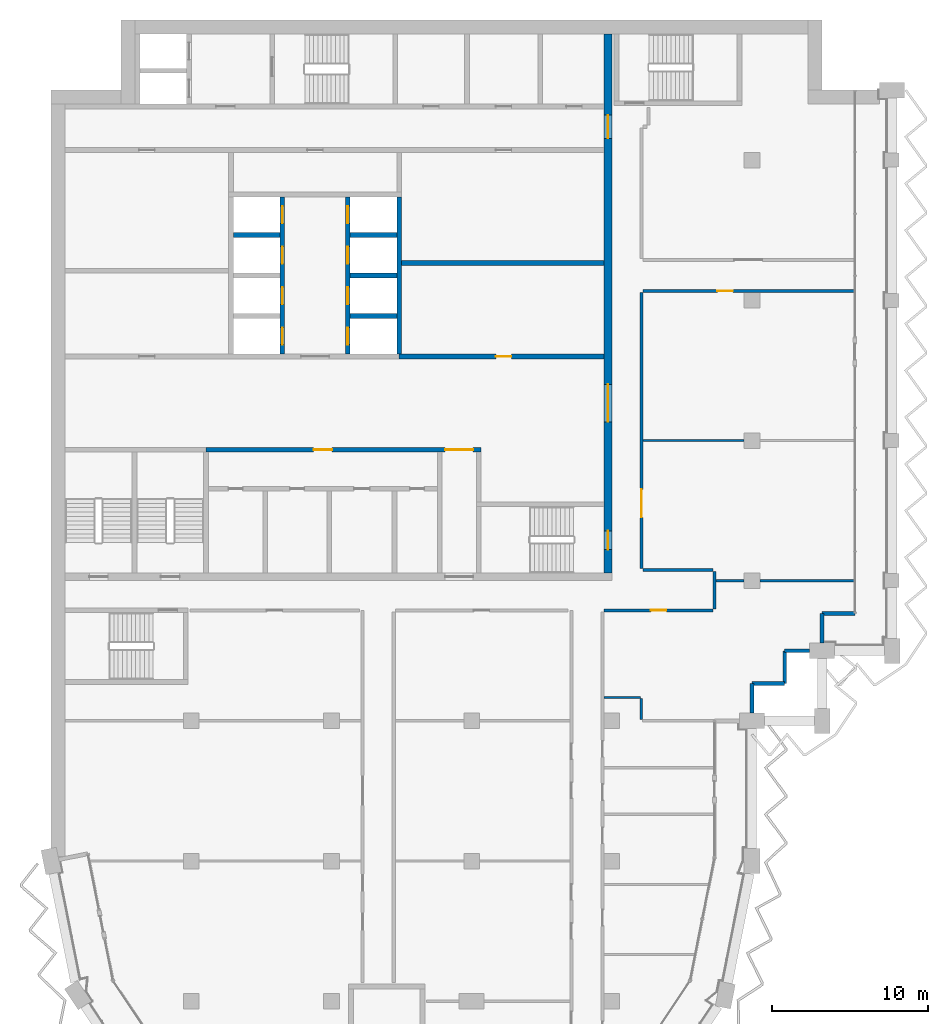
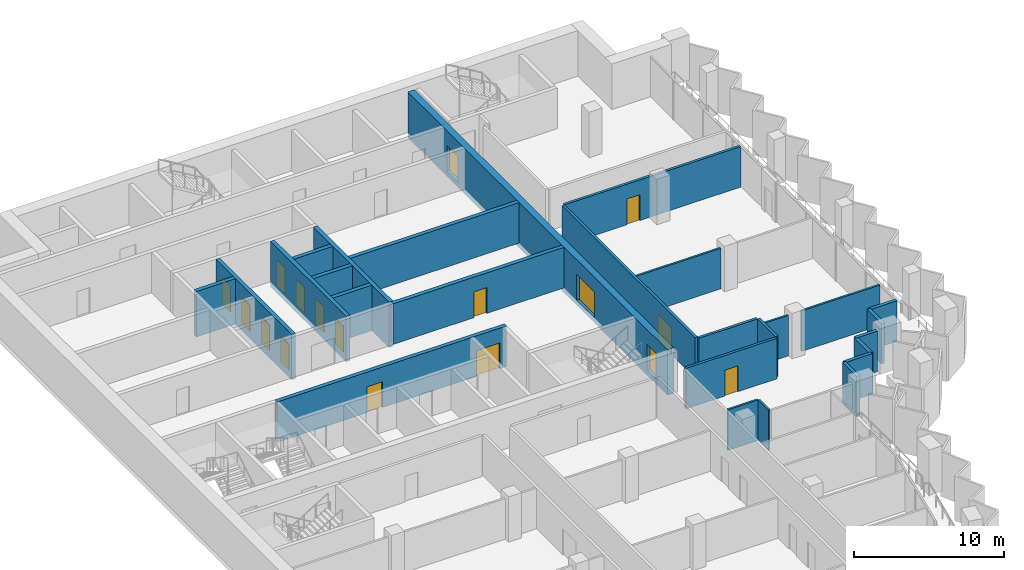
# One storey, part 9 of 16: 27 walls, 17 doors, 17 openings.
"""IFC4 building model written with IfcOpenShell, lengths in metres."""

from ifc_helpers import new_model, si_unit, direction, frame, frame_2d, origin, place, context, subcontext, project, spatial, rectangle, extrude, material, layer, layer_set, type_object, element, fill, save


model = new_model("IFC4")

# Units and contexts
model_context = context("Model", 3, precision=1e-05, world=origin(), true_north=direction((0.0, 1.0)))
body_context = subcontext(model_context, "Body", "Model", "MODEL_VIEW")
ifc_project = project(units=[si_unit("LENGTHUNIT", "METRE"), si_unit("AREAUNIT", "SQUARE_METRE"), si_unit("VOLUMEUNIT", "CUBIC_METRE"), si_unit("PLANEANGLEUNIT", "RADIAN"), si_unit("MASSUNIT", "GRAM", prefix="KILO")], contexts=[model_context])

# Site, building, storey
site_placement = place(None, origin())
site = spatial("IfcSite", under=ifc_project, at=site_placement, CompositionType="ELEMENT")
building_placement = place(site_placement, origin())
building = spatial("IfcBuilding", under=site, at=building_placement, Name="Hunhe Ridgeline Campus", CompositionType="ELEMENT")
storey_placement = place(building_placement, frame((0.0, 0.0, 254.0)))
storey = spatial("IfcBuildingStorey", under=building, at=storey_placement, Name="L65", CompositionType="ELEMENT", Elevation=254.0)

# Wall, openings, doors
ifc_material_1 = material(Name="Masonry concrete blockwork", Category="masonry")
ifc_layer_1 = layer(ifc_material_1, 0.300048828125)
ifc_layer_set_1 = layer_set([ifc_layer_1], Name="Core room partition 300 concrete block")
wall_type_1 = type_object("IfcWallType", Name="Core room partition 300 concrete block", PredefinedType="PARTITIONING", material=ifc_layer_set_1)
wall_1_placement = place(storey_placement, frame((9.949951171875, 71.39990234375, 0.0), z_axis=(0.0, 0.0, 1.0), x_axis=(1.0, 0.0, 0.0)))
wall_1 = element("IfcWall", 1, at=wall_1_placement, inside=storey, type_object=wall_type_1, Name="L65 core partition 9", PredefinedType="PARTITIONING", context=body_context, shape_type="SweptSolid", body=[
    extrude(rectangle(XDim=17.650146484375, YDim=0.300048828125, at=frame_2d((8.8251953125, 0.0))), origin(), (0.0, 0.0, 1.0), 3.300048828125),
])
opening_1_placement = place(wall_1_placement, frame((15.35009765625, 0.0, 0.0)))
opening_1 = element("IfcOpeningElement", 2, at=opening_1_placement, cuts=wall_1, Name="Opening CD7", PredefinedType="OPENING", context=body_context, shape_type="SweptSolid", body=[
    extrude(rectangle(XDim=1.800048828125, YDim=2.10009765625, at=frame_2d((0.89990234375, 1.050048828125))), frame((0.0, 0.14990234375, 0.0), z_axis=(0.0, -1.0, 0.0), x_axis=(1.0, 0.0, 0.0)), (0.0, 0.0, 1.0), 0.300048828125),
])
opening_2_placement = place(wall_1_placement, frame((6.89990234375, 0.0, 0.0)))
opening_2 = element("IfcOpeningElement", 3, at=opening_2_placement, cuts=wall_1, Name="Opening CD37", PredefinedType="OPENING", context=body_context, shape_type="SweptSolid", body=[
    extrude(rectangle(XDim=1.199951171875, YDim=2.10009765625, at=frame_2d((0.60009765625, 1.050048828125))), frame((0.0, 0.14990234375, 0.0), z_axis=(0.0, -1.0, 0.0), x_axis=(1.0, 0.0, 0.0)), (0.0, 0.0, 1.0), 0.300048828125),
])
ifc_material_2 = material(Name="Anodised aluminium and glass", Category="aluminium")
door_type_1 = type_object("IfcDoorType", Name="Glazed double door 1800x2100", OperationType="DOUBLE_DOOR_SINGLE_SWING", PredefinedType="DOOR", material=ifc_material_2)
door_1_placement = place(opening_1_placement, origin())
door_1 = element("IfcDoor", 4, at=door_1_placement, inside=storey, type_object=door_type_1, Name="L65 door VEST-HALL", OperationType="DOUBLE_DOOR_SINGLE_SWING", OverallHeight=2.10009765625, OverallWidth=1.800048828125, PredefinedType="DOOR", context=body_context, shape_type="SweptSolid", body=[
    extrude(rectangle(XDim=1.800048828125, YDim=2.10009765625, at=frame_2d((0.89990234375, 1.050048828125))), frame((0.0, 0.02490234375, 0.0), z_axis=(0.0, -1.0, 0.0), x_axis=(1.0, 0.0, 0.0)), (0.0, 0.0, 1.0), 0.050048828125),
])
fill(opening_1, door_1)
ifc_material_3 = material(Name="Solid core timber door leaf", Category="wood")
door_type_2 = type_object("IfcDoorType", Name="Timber door 1200x2100", OperationType="SINGLE_SWING_LEFT", PredefinedType="DOOR", material=ifc_material_3)
door_2_placement = place(opening_2_placement, origin())
door_2 = element("IfcDoor", 5, at=door_2_placement, inside=storey, type_object=door_type_2, Name="L65 door WCL1-HALL", OperationType="SINGLE_SWING_RIGHT", OverallHeight=2.10009765625, OverallWidth=1.199951171875, PredefinedType="DOOR", context=body_context, shape_type="SweptSolid", body=[
    extrude(rectangle(XDim=1.199951171875, YDim=2.10009765625, at=frame_2d((0.60009765625, 1.050048828125))), frame((0.0, 0.02490234375, 0.0), z_axis=(0.0, -1.0, 0.0), x_axis=(1.0, 0.0, 0.0)), (0.0, 0.0, 1.0), 0.050048828125),
])
fill(opening_2, door_2)

# Wall, opening, door
wall_2_placement = place(storey_placement, frame((22.35009765625, 77.39990234375, 0.0), z_axis=(0.0, 0.0, 1.0), x_axis=(1.0, 0.0, 0.0)))
wall_2 = element("IfcWall", 6, at=wall_2_placement, inside=storey, type_object=wall_type_1, Name="L65 core partition 11", PredefinedType="PARTITIONING", context=body_context, shape_type="SweptSolid", body=[
    extrude(rectangle(XDim=13.14990234375, YDim=0.300048828125, at=frame_2d((6.574951171875, 0.0))), origin(), (0.0, 0.0, 1.0), 3.300048828125),
])
opening_3_placement = place(wall_2_placement, frame((6.199951171875, 0.0, 0.0)))
opening_3 = element("IfcOpeningElement", 7, at=opening_3_placement, cuts=wall_2, Name="Opening CD32", PredefinedType="OPENING", context=body_context, shape_type="SweptSolid", body=[
    extrude(rectangle(XDim=1.0, YDim=2.10009765625, at=frame_2d((0.5, 1.050048828125))), frame((0.0, 0.14990234375, 0.0), z_axis=(0.0, -1.0, 0.0), x_axis=(1.0, 0.0, 0.0)), (0.0, 0.0, 1.0), 0.300048828125),
])
door_type_3 = type_object("IfcDoorType", Name="Timber door 1000x2100", OperationType="SINGLE_SWING_LEFT", PredefinedType="DOOR", material=ifc_material_3)
door_3_placement = place(opening_3_placement, origin())
door_3 = element("IfcDoor", 8, at=door_3_placement, inside=storey, type_object=door_type_3, Name="L65 door ES0", OperationType="SINGLE_SWING_LEFT", OverallHeight=2.10009765625, OverallWidth=1.0, PredefinedType="DOOR", context=body_context, shape_type="SweptSolid", body=[
    extrude(rectangle(XDim=1.0, YDim=2.10009765625, at=frame_2d((0.5, 1.050048828125))), frame((0.0, 0.02490234375, 0.0), z_axis=(0.0, -1.0, 0.0), x_axis=(1.0, 0.0, 0.0)), (0.0, 0.0, 1.0), 0.050048828125),
])
fill(opening_3, door_3)

# Wall
wall_3_placement = place(storey_placement, frame((22.5, 83.39990234375, 0.0), z_axis=(0.0, 0.0, 1.0), x_axis=(1.0, 0.0, 0.0)))
element("IfcWall", 9, at=wall_3_placement, inside=storey, type_object=wall_type_1, Name="L65 core partition 17", PredefinedType="PARTITIONING", context=body_context, shape_type="SweptSolid", body=[
    extrude(rectangle(XDim=13.0, YDim=0.300048828125, at=frame_2d((6.5, 0.0))), origin(), (0.0, 0.0, 1.0), 3.300048828125),
])

# Wall, openings, doors
ifc_material_4 = material(Name="Concrete C50", Category="concrete")
ifc_layer_2 = layer(ifc_material_4, 0.5)
ifc_layer_set_2 = layer_set([ifc_layer_2], Name="Core wall 500 reinforced concrete C50")
wall_type_2 = type_object("IfcWallType", Name="Core wall 500 reinforced concrete C50", PredefinedType="SOLIDWALL", material=ifc_layer_set_2)
wall_4_placement = place(storey_placement, frame((35.75, 63.5, -0.39990234375), z_axis=(0.0, 0.0, 1.0), x_axis=(0.0, 1.0, 0.0)))
wall_4 = element("IfcWall", 10, at=wall_4_placement, inside=storey, type_object=wall_type_2, Name="L65 core wall 48", PredefinedType="SOLIDWALL", context=body_context, shape_type="SweptSolid", body=[
    extrude(rectangle(XDim=34.60009765625, YDim=0.5, at=frame_2d((17.300048828125, 0.0))), origin(), (0.0, 0.0, 1.0), 3.699951171875),
])
opening_4_placement = place(wall_4_placement, frame((9.699951171875, 0.0, 0.39990234375)))
opening_4 = element("IfcOpeningElement", 11, at=opening_4_placement, cuts=wall_4, Name="Opening CD4", PredefinedType="OPENING", context=body_context, shape_type="SweptSolid", body=[
    extrude(rectangle(XDim=2.39990234375, YDim=2.10009765625, at=frame_2d((1.199951171875, 1.050048828125))), frame((0.0, 0.25, 0.0), z_axis=(0.0, -1.0, 0.0), x_axis=(1.0, 0.0, 0.0)), (0.0, 0.0, 1.0), 0.5),
])
opening_5_placement = place(wall_4_placement, frame((27.89990234375, 0.0, 0.39990234375)))
opening_5 = element("IfcOpeningElement", 12, at=opening_5_placement, cuts=wall_4, Name="Opening CD5", PredefinedType="OPENING", context=body_context, shape_type="SweptSolid", body=[
    extrude(rectangle(XDim=1.5, YDim=2.10009765625, at=frame_2d((0.75, 1.050048828125))), frame((0.0, 0.25, 0.0), z_axis=(0.0, -1.0, 0.0), x_axis=(1.0, 0.0, 0.0)), (0.0, 0.0, 1.0), 0.5),
])
opening_6_placement = place(wall_4_placement, frame((1.5, 0.0, 0.39990234375)))
opening_6 = element("IfcOpeningElement", 13, at=opening_6_placement, cuts=wall_4, Name="Opening CD15", PredefinedType="OPENING", context=body_context, shape_type="SweptSolid", body=[
    extrude(rectangle(XDim=1.199951171875, YDim=2.10009765625, at=frame_2d((0.60009765625, 1.050048828125))), frame((0.0, 0.25, 0.0), z_axis=(0.0, -1.0, 0.0), x_axis=(1.0, 0.0, 0.0)), (0.0, 0.0, 1.0), 0.5),
])
door_type_4 = type_object("IfcDoorType", Name="Glazed double door 2400x2100", OperationType="DOUBLE_DOOR_SINGLE_SWING", PredefinedType="DOOR", material=ifc_material_2)
door_4_placement = place(opening_4_placement, frame((2.39990234375, 0.0, 0.0), z_axis=(0.0, 0.0, 1.0), x_axis=(-1.0, 0.0, 0.0)))
door_4 = element("IfcDoor", 14, at=door_4_placement, inside=storey, type_object=door_type_4, Name="L65 door HALL-FLOOR", OperationType="DOUBLE_DOOR_SINGLE_SWING", OverallHeight=2.10009765625, OverallWidth=2.39990234375, PredefinedType="DOOR", context=body_context, shape_type="SweptSolid", body=[
    extrude(rectangle(XDim=2.39990234375, YDim=2.10009765625, at=frame_2d((1.199951171875, 1.050048828125))), frame((0.0, 0.02490234375, 0.0), z_axis=(0.0, -1.0, 0.0), x_axis=(1.0, 0.0, 0.0)), (0.0, 0.0, 1.0), 0.050048828125),
])
fill(opening_4, door_4)
ifc_material_5 = material(Name="Hollow metal fire door leaf")
door_type_5 = type_object("IfcDoorType", Name="Stair door 1200x2100 FD60", OperationType="SINGLE_SWING_LEFT", PredefinedType="DOOR", material=ifc_material_5)
door_5_placement = place(opening_6_placement, frame((1.199951171875, 0.0, 0.0), z_axis=(0.0, 0.0, 1.0), x_axis=(-1.0, 0.0, 0.0)))
door_5 = element("IfcDoor", 15, at=door_5_placement, inside=storey, type_object=door_type_5, Name="L65 door S2-FLOOR", OperationType="SINGLE_SWING_LEFT", OverallHeight=2.10009765625, OverallWidth=1.199951171875, PredefinedType="DOOR", context=body_context, shape_type="SweptSolid", body=[
    extrude(rectangle(XDim=1.199951171875, YDim=2.10009765625, at=frame_2d((0.60009765625, 1.050048828125))), frame((0.0, 0.02490234375, 0.0), z_axis=(0.0, -1.0, 0.0), x_axis=(1.0, 0.0, 0.0)), (0.0, 0.0, 1.0), 0.050048828125),
])
fill(opening_6, door_5)
door_type_6 = type_object("IfcDoorType", Name="Timber door 1500x2100", OperationType="SINGLE_SWING_LEFT", PredefinedType="DOOR", material=ifc_material_3)
door_6_placement = place(opening_5_placement, frame((1.5, 0.0, 0.0), z_axis=(0.0, 0.0, 1.0), x_axis=(-1.0, 0.0, 0.0)))
door_6 = element("IfcDoor", 16, at=door_6_placement, inside=storey, type_object=door_type_6, Name="L65 door C1-FLOOR", OperationType="SINGLE_SWING_LEFT", OverallHeight=2.10009765625, OverallWidth=1.5, PredefinedType="DOOR", context=body_context, shape_type="SweptSolid", body=[
    extrude(rectangle(XDim=1.5, YDim=2.10009765625, at=frame_2d((0.75, 1.050048828125))), frame((0.0, 0.02490234375, 0.0), z_axis=(0.0, -1.0, 0.0), x_axis=(1.0, 0.0, 0.0)), (0.0, 0.0, 1.0), 0.050048828125),
])
fill(opening_5, door_6)

# Walls
ifc_material_6 = material(Name="Concrete C30", Category="concrete")
ifc_layer_3 = layer(ifc_material_6, 0.25)
ifc_layer_set_3 = layer_set([ifc_layer_3], Name="Corner return wall 250 Concrete C30")
wall_type_3 = type_object("IfcWallType", Name="Corner return wall 250 Concrete C30", PredefinedType="SOLIDWALL", material=ifc_layer_set_3)
wall_5_placement = place(storey_placement, frame((44.9990234375, 54.5, 0.0), z_axis=(0.0, 0.0, 1.0), x_axis=(0.000128452151, 0.99999999175, 0.0)))
element("IfcWall", 17, at=wall_5_placement, inside=storey, type_object=wall_type_3, Name="Corner return wall 3", PredefinedType="SOLIDWALL", context=body_context, shape_type="SweptSolid", body=[
    extrude(rectangle(XDim=1.900634765625, YDim=0.25, at=frame_2d((0.9501953125, 0.0))), origin(), (0.0, 0.0, 1.0), 3.300048828125),
])
wall_6_placement = place(storey_placement, frame((44.999267578125, 56.400634765625, 0.0), z_axis=(0.0, 0.0, 1.0), x_axis=(0.999999993241, 0.00011626555, 0.0)))
element("IfcWall", 18, at=wall_6_placement, inside=storey, type_object=wall_type_3, Name="Corner return wall 4", PredefinedType="SOLIDWALL", context=body_context, shape_type="SweptSolid", body=[
    extrude(rectangle(XDim=2.099853515625, YDim=0.25, at=frame_2d((1.0498046875, 0.0))), origin(), (0.0, 0.0, 1.0), 3.300048828125),
])
wall_7_placement = place(storey_placement, frame((47.09912109375, 56.40087890625, 0.0), z_axis=(0.0, 0.0, 1.0), x_axis=(0.000232504063, 0.999999972971, 0.0)))
element("IfcWall", 19, at=wall_7_placement, inside=storey, type_object=wall_type_3, Name="Corner return wall 5", PredefinedType="SOLIDWALL", context=body_context, shape_type="SweptSolid", body=[
    extrude(rectangle(XDim=2.10009765625, YDim=0.25, at=frame_2d((1.050048828125, 0.0))), origin(), (0.0, 0.0, 1.0), 3.300048828125),
])
wall_8_placement = place(storey_placement, frame((47.099609375, 58.5009765625, 0.0), z_axis=(0.0, 0.0, 1.0), x_axis=(1.0, 0.0, 0.0)))
element("IfcWall", 20, at=wall_8_placement, inside=storey, type_object=wall_type_3, Name="Corner return wall 6", PredefinedType="SOLIDWALL", context=body_context, shape_type="SweptSolid", body=[
    extrude(rectangle(XDim=1.600341796875, YDim=0.25, at=frame_2d((0.80029296875, 0.0))), origin(), (0.0, 0.0, 1.0), 3.300048828125),
])
wall_9_placement = place(storey_placement, frame((49.4990234375, 59.0, 0.0), z_axis=(0.0, 0.0, 1.0), x_axis=(0.000256871299, 0.999999967009, 0.0)))
element("IfcWall", 21, at=wall_9_placement, inside=storey, type_object=wall_type_3, Name="Corner return wall 7", PredefinedType="SOLIDWALL", context=body_context, shape_type="SweptSolid", body=[
    extrude(rectangle(XDim=1.90087890625, YDim=0.25, at=frame_2d((0.950439453125, 0.0))), origin(), (0.0, 0.0, 1.0), 3.300048828125),
])
wall_10_placement = place(storey_placement, frame((49.49951171875, 60.90087890625, 0.0), z_axis=(0.0, 0.0, 1.0), x_axis=(1.0, 0.0, 0.0)))
element("IfcWall", 22, at=wall_10_placement, inside=storey, type_object=wall_type_3, Name="Corner return wall 8", PredefinedType="SOLIDWALL", context=body_context, shape_type="SweptSolid", body=[
    extrude(rectangle(XDim=2.099609375, YDim=0.25, at=frame_2d((1.0498046875, 0.0))), origin(), (0.0, 0.0, 1.0), 3.300048828125),
])

# Wall, opening, door
ifc_material_7 = material(Name="Gypsum board partition")
ifc_layer_4 = layer(ifc_material_7, 0.199951171875)
ifc_layer_set_4 = layer_set([ifc_layer_4], Name="Corridor partition 200 gypsum board on steel studs")
wall_type_4 = type_object("IfcWallType", Name="Corridor partition 200 gypsum board on steel studs", PredefinedType="PARTITIONING", material=ifc_layer_set_4)
wall_11_placement = place(storey_placement, frame((42.5, 61.10009765625, 0.0), z_axis=(0.0, 0.0, 1.0), x_axis=(-1.0, 0.0, 0.0)))
wall_11 = element("IfcWall", 23, at=wall_11_placement, inside=storey, type_object=wall_type_4, Name="F-L65-wall-023", PredefinedType="PARTITIONING", context=body_context, shape_type="SweptSolid", body=[
    extrude(rectangle(XDim=7.0, YDim=0.199951171875, at=frame_2d((3.5, 0.0))), origin(), (0.0, 0.0, 1.0), 3.300048828125),
])
opening_7_placement = place(wall_11_placement, frame((3.0, 0.0, 0.0)))
opening_7 = element("IfcOpeningElement", 24, at=opening_7_placement, cuts=wall_11, Name="Opening RD1-017", PredefinedType="OPENING", context=body_context, shape_type="SweptSolid", body=[
    extrude(rectangle(XDim=1.0, YDim=2.10009765625, at=frame_2d((0.5, 1.050048828125))), frame((0.0, 0.10009765625, 0.0), z_axis=(0.0, -1.0, 0.0), x_axis=(1.0, 0.0, 0.0)), (0.0, 0.0, 1.0), 0.199951171875),
])
ifc_material_8 = material(Name="Timber door leaf", Category="wood")
door_type_7 = type_object("IfcDoorType", Name="Single fire door 1000x2100 timber FD60", OperationType="NOTDEFINED", PredefinedType="DOOR", material=ifc_material_8)
door_7_placement = place(opening_7_placement, origin())
door_7 = element("IfcDoor", 25, at=door_7_placement, inside=storey, type_object=door_type_7, Name="F-L65-door-017", OperationType="SINGLE_SWING_LEFT", OverallHeight=2.10009765625, OverallWidth=1.0, PredefinedType="DOOR", context=body_context, shape_type="SweptSolid", body=[
    extrude(rectangle(XDim=1.0, YDim=2.10009765625, at=frame_2d((0.5, 1.050048828125))), frame((0.0, 0.02490234375, 0.0), z_axis=(0.0, -1.0, 0.0), x_axis=(1.0, 0.0, 0.0)), (0.0, 0.0, 1.0), 0.050048828125),
])
fill(opening_7, door_7)

# Wall
wall_12_placement = place(storey_placement, frame((38.0, 63.699951171875, 0.0), z_axis=(0.0, 0.0, 1.0), x_axis=(1.0, 0.0, 0.0)))
element("IfcWall", 26, at=wall_12_placement, inside=storey, type_object=wall_type_4, Name="F-L65-wall-026", PredefinedType="PARTITIONING", context=body_context, shape_type="SweptSolid", body=[
    extrude(rectangle(XDim=4.5, YDim=0.199951171875, at=frame_2d((2.25, 0.0))), origin(), (0.0, 0.0, 1.0), 3.300048828125),
])

# Wall, opening, door
wall_13_placement = place(storey_placement, frame((51.544921875, 81.60009765625, 0.0), z_axis=(0.0, 0.0, 1.0), x_axis=(-1.0, 0.0, 0.0)))
wall_13 = element("IfcWall", 27, at=wall_13_placement, inside=storey, type_object=wall_type_4, Name="F-L65-wall-029", PredefinedType="PARTITIONING", context=body_context, shape_type="SweptSolid", body=[
    extrude(rectangle(XDim=13.544921875, YDim=0.199951171875, at=frame_2d((6.7724609375, 0.0))), origin(), (0.0, 0.0, 1.0), 3.300048828125),
])
opening_8_placement = place(wall_13_placement, frame((7.7724609375, 0.0, 0.0)))
opening_8 = element("IfcOpeningElement", 28, at=opening_8_placement, cuts=wall_13, Name="Opening RD1-019", PredefinedType="OPENING", context=body_context, shape_type="SweptSolid", body=[
    extrude(rectangle(XDim=1.0, YDim=2.10009765625, at=frame_2d((0.5, 1.050048828125))), frame((0.0, 0.10009765625, 0.0), z_axis=(0.0, -1.0, 0.0), x_axis=(1.0, 0.0, 0.0)), (0.0, 0.0, 1.0), 0.199951171875),
])
door_8_placement = place(opening_8_placement, origin())
door_8 = element("IfcDoor", 29, at=door_8_placement, inside=storey, type_object=door_type_7, Name="F-L65-door-019", OperationType="SINGLE_SWING_RIGHT", OverallHeight=2.10009765625, OverallWidth=1.0, PredefinedType="DOOR", context=body_context, shape_type="SweptSolid", body=[
    extrude(rectangle(XDim=1.0, YDim=2.10009765625, at=frame_2d((0.5, 1.050048828125))), frame((0.0, 0.02490234375, 0.0), z_axis=(0.0, -1.0, 0.0), x_axis=(1.0, 0.0, 0.0)), (0.0, 0.0, 1.0), 0.050048828125),
])
fill(opening_8, door_8)

wall_14_placement = place(storey_placement, frame((37.89990234375, 81.5, 0.0), z_axis=(0.0, 0.0, 1.0), x_axis=(0.0, -1.0, 0.0)))
wall_14 = element("IfcWall", 30, at=wall_14_placement, inside=storey, type_object=wall_type_4, Name="F-L65-wall-039", PredefinedType="PARTITIONING", context=body_context, shape_type="SweptSolid", body=[
    extrude(rectangle(XDim=17.699951171875, YDim=0.199951171875, at=frame_2d((8.85009765625, 0.0))), origin(), (0.0, 0.0, 1.0), 3.300048828125),
])
opening_9_placement = place(wall_14_placement, frame((12.6279296875, 0.0, 0.0)))
opening_9 = element("IfcOpeningElement", 31, at=opening_9_placement, cuts=wall_14, Name="Opening RD2-018", PredefinedType="OPENING", context=body_context, shape_type="SweptSolid", body=[
    extrude(rectangle(XDim=1.800048828125, YDim=2.10009765625, at=frame_2d((0.89990234375, 1.050048828125))), frame((0.0, 0.10009765625, 0.0), z_axis=(0.0, -1.0, 0.0), x_axis=(1.0, 0.0, 0.0)), (0.0, 0.0, 1.0), 0.199951171875),
])
door_type_8 = type_object("IfcDoorType", Name="Double fire door 1800x2100 timber FD60", OperationType="DOUBLE_DOOR_SINGLE_SWING", PredefinedType="DOOR", material=ifc_material_8)
door_9_placement = place(opening_9_placement, origin())
door_9 = element("IfcDoor", 32, at=door_9_placement, inside=storey, type_object=door_type_8, Name="F-L65-door-018", OperationType="DOUBLE_DOOR_SINGLE_SWING", OverallHeight=2.10009765625, OverallWidth=1.800048828125, PredefinedType="DOOR", context=body_context, shape_type="SweptSolid", body=[
    extrude(rectangle(XDim=1.800048828125, YDim=2.10009765625, at=frame_2d((0.89990234375, 1.050048828125))), frame((0.0, 0.02490234375, 0.0), z_axis=(0.0, -1.0, 0.0), x_axis=(1.0, 0.0, 0.0)), (0.0, 0.0, 1.0), 0.050048828125),
])
fill(opening_9, door_9)

# Walls
wall_15_placement = place(storey_placement, frame((42.60009765625, 63.60009765625, 0.0), z_axis=(0.0, 0.0, 1.0), x_axis=(0.0, -1.0, 0.0)))
element("IfcWall", 33, at=wall_15_placement, inside=storey, type_object=wall_type_4, Name="F-L65-wall-042", PredefinedType="PARTITIONING", context=body_context, shape_type="SweptSolid", body=[
    extrude(rectangle(XDim=2.400146484375, YDim=0.199951171875, at=frame_2d((1.2001953125, 0.0))), origin(), (0.0, 0.0, 1.0), 3.300048828125),
])
ifc_layer_5 = layer(ifc_material_7, 0.14990234375)
ifc_layer_set_5 = layer_set([ifc_layer_5], Name="Room partition 150 gypsum board on steel studs")
wall_type_5 = type_object("IfcWallType", Name="Room partition 150 gypsum board on steel studs", PredefinedType="PARTITIONING", material=ifc_layer_set_5)
wall_16_placement = place(storey_placement, frame((35.5, 55.5, 0.0), z_axis=(0.0, 0.0, 1.0), x_axis=(1.0, 0.0, 0.0)))
element("IfcWall", 34, at=wall_16_placement, inside=storey, type_object=wall_type_5, Name="F-L65-wall-020", PredefinedType="PARTITIONING", context=body_context, shape_type="SweptSolid", body=[
    extrude(rectangle(XDim=2.324951171875, YDim=0.14990234375, at=frame_2d((1.16259765625, 0.0))), origin(), (0.0, 0.0, 1.0), 3.300048828125),
])
wall_17_placement = place(storey_placement, frame((42.699951171875, 63.0, 0.0), z_axis=(0.0, 0.0, 1.0), x_axis=(1.0, 0.0, 0.0)))
element("IfcWall", 35, at=wall_17_placement, inside=storey, type_object=wall_type_5, Name="F-L65-wall-024", PredefinedType="PARTITIONING", context=body_context, shape_type="SweptSolid", body=[
    extrude(rectangle(XDim=1.800048828125, YDim=0.14990234375, at=frame_2d((0.89990234375, 0.0))), origin(), (0.0, 0.0, 1.0), 3.300048828125),
])
wall_18_placement = place(storey_placement, frame((45.5, 63.0, 0.0), z_axis=(0.0, 0.0, 1.0), x_axis=(1.0, 0.0, 0.0)))
element("IfcWall", 36, at=wall_18_placement, inside=storey, type_object=wall_type_5, Name="F-L65-wall-025", PredefinedType="PARTITIONING", context=body_context, shape_type="SweptSolid", body=[
    extrude(rectangle(XDim=6.044921875, YDim=0.14990234375, at=frame_2d((3.0224609375, 0.0))), origin(), (0.0, 0.0, 1.0), 3.300048828125),
])
wall_19_placement = place(storey_placement, frame((38.0, 72.0, 0.0), z_axis=(0.0, 0.0, 1.0), x_axis=(1.0, 0.0, 0.0)))
element("IfcWall", 37, at=wall_19_placement, inside=storey, type_object=wall_type_5, Name="F-L65-wall-027", PredefinedType="PARTITIONING", context=body_context, shape_type="SweptSolid", body=[
    extrude(rectangle(XDim=6.5, YDim=0.14990234375, at=frame_2d((3.25, 0.0))), origin(), (0.0, 0.0, 1.0), 3.300048828125),
])
wall_20_placement = place(storey_placement, frame((37.89990234375, 55.425048828125, 0.0), z_axis=(0.0, 0.0, 1.0), x_axis=(0.0, -1.0, 0.0)))
element("IfcWall", 38, at=wall_20_placement, inside=storey, type_object=wall_type_5, Name="F-L65-wall-038", PredefinedType="PARTITIONING", context=body_context, shape_type="SweptSolid", body=[
    extrude(rectangle(XDim=1.35009765625, YDim=0.14990234375, at=frame_2d((0.675048828125, 0.0))), origin(), (0.0, 0.0, 1.0), 3.300048828125),
])
ifc_layer_6 = layer(ifc_material_4, 0.300048828125)
ifc_layer_set_6 = layer_set([ifc_layer_6], Name="Shaft wall 300 reinforced concrete C50")
wall_type_6 = type_object("IfcWallType", Name="Shaft wall 300 reinforced concrete C50", PredefinedType="SOLIDWALL", material=ifc_layer_set_6)
for number, where, z_axis, x_axis, name in (
    (39, (19.199951171875, 80.0, -0.39990234375), (0.0, 0.0, 1.0), (1.0, 0.0, 0.0), "L65 core wall 13"),
    (40, (19.199951171875, 82.60009765625, -0.39990234375), (0.0, 0.0, 1.0), (1.0, 0.0, 0.0), "L65 core wall 15"),
    (41, (11.699951171875, 85.199951171875, -0.39990234375), (0.0, 0.0, 1.0), (1.0, 0.0, 0.0), "L65 core wall 18"),
    (42, (19.199951171875, 85.199951171875, -0.39990234375), (0.0, 0.0, 1.0), (1.0, 0.0, 0.0), "L65 core wall 19"),
):
    element("IfcWall", number, at=place(storey_placement, frame(where, z_axis=z_axis, x_axis=x_axis)), inside=storey, type_object=wall_type_6, Name=name, PredefinedType="SOLIDWALL", context=body_context, shape_type="SweptSolid", body=[
        extrude(rectangle(XDim=3.0, YDim=0.300048828125, at=frame_2d((1.5, 0.0))), origin(), (0.0, 0.0, 1.0), 3.699951171875),
    ])

# Wall, openings, doors
wall_21_placement = place(storey_placement, frame((14.85009765625, 77.550048828125, -0.39990234375), z_axis=(0.0, 0.0, 1.0), x_axis=(0.0, 1.0, 0.0)))
wall_21 = element("IfcWall", 43, at=wall_21_placement, inside=storey, type_object=wall_type_6, Name="L65 core wall 34", PredefinedType="SOLIDWALL", context=body_context, shape_type="SweptSolid", body=[
    extrude(rectangle(XDim=10.099853515625, YDim=0.300048828125, at=frame_2d((5.0498046875, 0.0))), origin(), (0.0, 0.0, 1.0), 3.699951171875),
])
opening_10_placement = place(wall_21_placement, frame((0.60009765625, 0.0, 0.39990234375)))
opening_10 = element("IfcOpeningElement", 44, at=opening_10_placement, cuts=wall_21, Name="Opening LD-HR1", PredefinedType="OPENING", context=body_context, shape_type="SweptSolid", body=[
    extrude(rectangle(XDim=1.10009765625, YDim=2.10009765625, at=frame_2d((0.550048828125, 1.050048828125))), frame((0.0, 0.14990234375, 0.0), z_axis=(0.0, -1.0, 0.0), x_axis=(1.0, 0.0, 0.0)), (0.0, 0.0, 1.0), 0.300048828125),
])
opening_11_placement = place(wall_21_placement, frame((3.199951171875, 0.0, 0.39990234375)))
opening_11 = element("IfcOpeningElement", 45, at=opening_11_placement, cuts=wall_21, Name="Opening LD-HR2", PredefinedType="OPENING", context=body_context, shape_type="SweptSolid", body=[
    extrude(rectangle(XDim=1.10009765625, YDim=2.10009765625, at=frame_2d((0.550048828125, 1.050048828125))), frame((0.0, 0.14990234375, 0.0), z_axis=(0.0, -1.0, 0.0), x_axis=(1.0, 0.0, 0.0)), (0.0, 0.0, 1.0), 0.300048828125),
])
opening_12_placement = place(wall_21_placement, frame((5.800048828125, 0.0, 0.39990234375)))
opening_12 = element("IfcOpeningElement", 46, at=opening_12_placement, cuts=wall_21, Name="Opening LD-HR3", PredefinedType="OPENING", context=body_context, shape_type="SweptSolid", body=[
    extrude(rectangle(XDim=1.10009765625, YDim=2.10009765625, at=frame_2d((0.550048828125, 1.050048828125))), frame((0.0, 0.14990234375, 0.0), z_axis=(0.0, -1.0, 0.0), x_axis=(1.0, 0.0, 0.0)), (0.0, 0.0, 1.0), 0.300048828125),
])
opening_13_placement = place(wall_21_placement, frame((8.39990234375, 0.0, 0.39990234375)))
opening_13 = element("IfcOpeningElement", 47, at=opening_13_placement, cuts=wall_21, Name="Opening LD-HR4", PredefinedType="OPENING", context=body_context, shape_type="SweptSolid", body=[
    extrude(rectangle(XDim=1.10009765625, YDim=2.10009765625, at=frame_2d((0.550048828125, 1.050048828125))), frame((0.0, 0.14990234375, 0.0), z_axis=(0.0, -1.0, 0.0), x_axis=(1.0, 0.0, 0.0)), (0.0, 0.0, 1.0), 0.300048828125),
])
ifc_material_9 = material(Name="Stainless steel sliding leaves", Category="steel")
door_type_9 = type_object("IfcDoorType", Name="Landing door 1100x2100 FD120", OperationType="SLIDING_TO_LEFT", PredefinedType="DOOR", material=ifc_material_9)
door_10_placement = place(opening_10_placement, origin())
door_10 = element("IfcDoor", 48, at=door_10_placement, inside=storey, type_object=door_type_9, Name="L65 landing door HR1", OperationType="SLIDING_TO_RIGHT", OverallHeight=2.10009765625, OverallWidth=1.10009765625, PredefinedType="DOOR", context=body_context, shape_type="SweptSolid", body=[
    extrude(rectangle(XDim=1.10009765625, YDim=2.10009765625, at=frame_2d((0.550048828125, 1.050048828125))), frame((0.0, 0.02490234375, 0.0), z_axis=(0.0, -1.0, 0.0), x_axis=(1.0, 0.0, 0.0)), (0.0, 0.0, 1.0), 0.050048828125),
])
fill(opening_10, door_10)
door_11_placement = place(opening_11_placement, origin())
door_11 = element("IfcDoor", 49, at=door_11_placement, inside=storey, type_object=door_type_9, Name="L65 landing door HR2", OperationType="SLIDING_TO_LEFT", OverallHeight=2.10009765625, OverallWidth=1.10009765625, PredefinedType="DOOR", context=body_context, shape_type="SweptSolid", body=[
    extrude(rectangle(XDim=1.10009765625, YDim=2.10009765625, at=frame_2d((0.550048828125, 1.050048828125))), frame((0.0, 0.02490234375, 0.0), z_axis=(0.0, -1.0, 0.0), x_axis=(1.0, 0.0, 0.0)), (0.0, 0.0, 1.0), 0.050048828125),
])
fill(opening_11, door_11)
door_12_placement = place(opening_12_placement, origin())
door_12 = element("IfcDoor", 50, at=door_12_placement, inside=storey, type_object=door_type_9, Name="L65 landing door HR3", OperationType="SLIDING_TO_RIGHT", OverallHeight=2.10009765625, OverallWidth=1.10009765625, PredefinedType="DOOR", context=body_context, shape_type="SweptSolid", body=[
    extrude(rectangle(XDim=1.10009765625, YDim=2.10009765625, at=frame_2d((0.550048828125, 1.050048828125))), frame((0.0, 0.02490234375, 0.0), z_axis=(0.0, -1.0, 0.0), x_axis=(1.0, 0.0, 0.0)), (0.0, 0.0, 1.0), 0.050048828125),
])
fill(opening_12, door_12)
door_13_placement = place(opening_13_placement, origin())
door_13 = element("IfcDoor", 51, at=door_13_placement, inside=storey, type_object=door_type_9, Name="L65 landing door HR4", OperationType="SLIDING_TO_LEFT", OverallHeight=2.10009765625, OverallWidth=1.10009765625, PredefinedType="DOOR", context=body_context, shape_type="SweptSolid", body=[
    extrude(rectangle(XDim=1.10009765625, YDim=2.10009765625, at=frame_2d((0.550048828125, 1.050048828125))), frame((0.0, 0.02490234375, 0.0), z_axis=(0.0, -1.0, 0.0), x_axis=(1.0, 0.0, 0.0)), (0.0, 0.0, 1.0), 0.050048828125),
])
fill(opening_13, door_13)

wall_22_placement = place(storey_placement, frame((19.050048828125, 77.550048828125, -0.39990234375), z_axis=(0.0, 0.0, 1.0), x_axis=(0.0, 1.0, 0.0)))
wall_22 = element("IfcWall", 52, at=wall_22_placement, inside=storey, type_object=wall_type_6, Name="L65 core wall 36", PredefinedType="SOLIDWALL", context=body_context, shape_type="SweptSolid", body=[
    extrude(rectangle(XDim=10.099853515625, YDim=0.300048828125, at=frame_2d((5.0498046875, 0.0))), origin(), (0.0, 0.0, 1.0), 3.699951171875),
])
opening_14_placement = place(wall_22_placement, frame((0.60009765625, 0.0, 0.39990234375)))
opening_14 = element("IfcOpeningElement", 53, at=opening_14_placement, cuts=wall_22, Name="Opening LD-HR5", PredefinedType="OPENING", context=body_context, shape_type="SweptSolid", body=[
    extrude(rectangle(XDim=1.10009765625, YDim=2.10009765625, at=frame_2d((0.550048828125, 1.050048828125))), frame((0.0, 0.14990234375, 0.0), z_axis=(0.0, -1.0, 0.0), x_axis=(1.0, 0.0, 0.0)), (0.0, 0.0, 1.0), 0.300048828125),
])
opening_15_placement = place(wall_22_placement, frame((3.199951171875, 0.0, 0.39990234375)))
opening_15 = element("IfcOpeningElement", 54, at=opening_15_placement, cuts=wall_22, Name="Opening LD-HR6", PredefinedType="OPENING", context=body_context, shape_type="SweptSolid", body=[
    extrude(rectangle(XDim=1.10009765625, YDim=2.10009765625, at=frame_2d((0.550048828125, 1.050048828125))), frame((0.0, 0.14990234375, 0.0), z_axis=(0.0, -1.0, 0.0), x_axis=(1.0, 0.0, 0.0)), (0.0, 0.0, 1.0), 0.300048828125),
])
opening_16_placement = place(wall_22_placement, frame((5.800048828125, 0.0, 0.39990234375)))
opening_16 = element("IfcOpeningElement", 55, at=opening_16_placement, cuts=wall_22, Name="Opening LD-HR7", PredefinedType="OPENING", context=body_context, shape_type="SweptSolid", body=[
    extrude(rectangle(XDim=1.10009765625, YDim=2.10009765625, at=frame_2d((0.550048828125, 1.050048828125))), frame((0.0, 0.14990234375, 0.0), z_axis=(0.0, -1.0, 0.0), x_axis=(1.0, 0.0, 0.0)), (0.0, 0.0, 1.0), 0.300048828125),
])
opening_17_placement = place(wall_22_placement, frame((8.39990234375, 0.0, 0.39990234375)))
opening_17 = element("IfcOpeningElement", 56, at=opening_17_placement, cuts=wall_22, Name="Opening LD-HR8", PredefinedType="OPENING", context=body_context, shape_type="SweptSolid", body=[
    extrude(rectangle(XDim=1.10009765625, YDim=2.10009765625, at=frame_2d((0.550048828125, 1.050048828125))), frame((0.0, 0.14990234375, 0.0), z_axis=(0.0, -1.0, 0.0), x_axis=(1.0, 0.0, 0.0)), (0.0, 0.0, 1.0), 0.300048828125),
])
door_14_placement = place(opening_14_placement, origin())
door_14 = element("IfcDoor", 57, at=door_14_placement, inside=storey, type_object=door_type_9, Name="L65 landing door HR5", OperationType="SLIDING_TO_RIGHT", OverallHeight=2.10009765625, OverallWidth=1.10009765625, PredefinedType="DOOR", context=body_context, shape_type="SweptSolid", body=[
    extrude(rectangle(XDim=1.10009765625, YDim=2.10009765625, at=frame_2d((0.550048828125, 1.050048828125))), frame((0.0, 0.02490234375, 0.0), z_axis=(0.0, -1.0, 0.0), x_axis=(1.0, 0.0, 0.0)), (0.0, 0.0, 1.0), 0.050048828125),
])
fill(opening_14, door_14)
door_15_placement = place(opening_15_placement, origin())
door_15 = element("IfcDoor", 58, at=door_15_placement, inside=storey, type_object=door_type_9, Name="L65 landing door HR6", OperationType="SLIDING_TO_LEFT", OverallHeight=2.10009765625, OverallWidth=1.10009765625, PredefinedType="DOOR", context=body_context, shape_type="SweptSolid", body=[
    extrude(rectangle(XDim=1.10009765625, YDim=2.10009765625, at=frame_2d((0.550048828125, 1.050048828125))), frame((0.0, 0.02490234375, 0.0), z_axis=(0.0, -1.0, 0.0), x_axis=(1.0, 0.0, 0.0)), (0.0, 0.0, 1.0), 0.050048828125),
])
fill(opening_15, door_15)
door_16_placement = place(opening_16_placement, origin())
door_16 = element("IfcDoor", 59, at=door_16_placement, inside=storey, type_object=door_type_9, Name="L65 landing door HR7", OperationType="SLIDING_TO_RIGHT", OverallHeight=2.10009765625, OverallWidth=1.10009765625, PredefinedType="DOOR", context=body_context, shape_type="SweptSolid", body=[
    extrude(rectangle(XDim=1.10009765625, YDim=2.10009765625, at=frame_2d((0.550048828125, 1.050048828125))), frame((0.0, 0.02490234375, 0.0), z_axis=(0.0, -1.0, 0.0), x_axis=(1.0, 0.0, 0.0)), (0.0, 0.0, 1.0), 0.050048828125),
])
fill(opening_16, door_16)
door_17_placement = place(opening_17_placement, origin())
door_17 = element("IfcDoor", 60, at=door_17_placement, inside=storey, type_object=door_type_9, Name="L65 landing door HR8", OperationType="SLIDING_TO_LEFT", OverallHeight=2.10009765625, OverallWidth=1.10009765625, PredefinedType="DOOR", context=body_context, shape_type="SweptSolid", body=[
    extrude(rectangle(XDim=1.10009765625, YDim=2.10009765625, at=frame_2d((0.550048828125, 1.050048828125))), frame((0.0, 0.02490234375, 0.0), z_axis=(0.0, -1.0, 0.0), x_axis=(1.0, 0.0, 0.0)), (0.0, 0.0, 1.0), 0.050048828125),
])
fill(opening_17, door_17)

# Wall
wall_23_placement = place(storey_placement, frame((22.35009765625, 77.550048828125, -0.39990234375), z_axis=(0.0, 0.0, 1.0), x_axis=(0.0, 1.0, 0.0)))
element("IfcWall", 61, at=wall_23_placement, inside=storey, type_object=wall_type_6, Name="L65 core wall 40", PredefinedType="SOLIDWALL", context=body_context, shape_type="SweptSolid", body=[
    extrude(rectangle(XDim=10.099853515625, YDim=0.300048828125, at=frame_2d((5.0498046875, 0.0))), origin(), (0.0, 0.0, 1.0), 3.699951171875),
])

save(model, "model.ifc")
